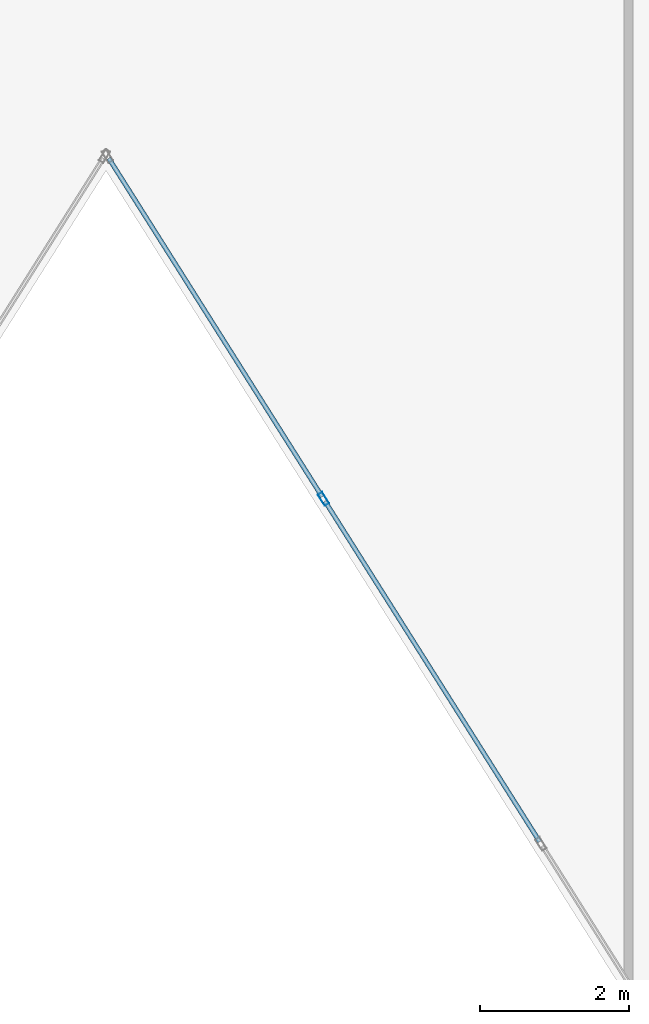
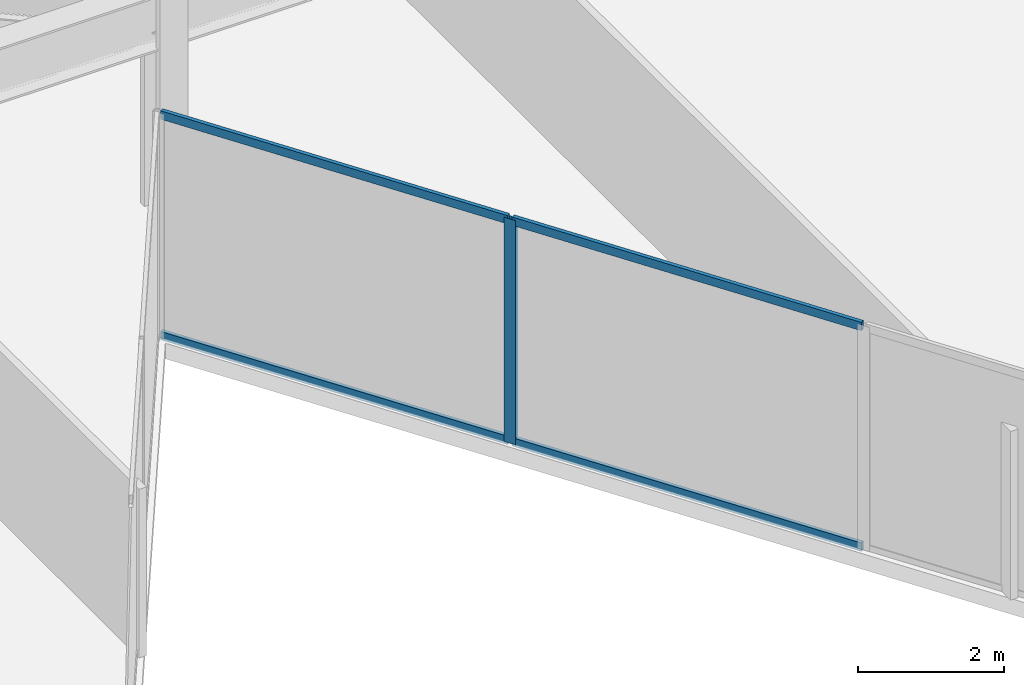
# One storey, part 15 of 25: 5 members, 1 element without a shape of its own.
"""IFC4 building model written with IfcOpenShell, lengths in metres."""

from ifc_helpers import new_model, si_unit, direction, frame, origin, origin_2d, place, context, subcontext, project, spatial, hollow_rectangle, extrude, material, layer, layer_set, material_profile, profile_set, type_object, element, aggregate, save


model = new_model("IFC4")

# Units and contexts
model_context = context("Model", 3, precision=1e-05, world=origin(), true_north=direction((0.0, 1.0)))
body_context = subcontext(model_context, "Body", "Model", "MODEL_VIEW")
ifc_project = project(units=[si_unit("LENGTHUNIT", "METRE"), si_unit("AREAUNIT", "SQUARE_METRE"), si_unit("VOLUMEUNIT", "CUBIC_METRE"), si_unit("PLANEANGLEUNIT", "RADIAN"), si_unit("MASSUNIT", "GRAM", prefix="KILO")], contexts=[model_context])

# Site, building, storey
site_placement = place(None, origin())
site = spatial("IfcSite", under=ifc_project, at=site_placement, CompositionType="ELEMENT")
building_placement = place(site_placement, origin())
building = spatial("IfcBuilding", under=site, at=building_placement, Name="Kravanh Interchange Tower", CompositionType="ELEMENT")
storey_placement = place(building_placement, frame((0.0, 0.0, 41.5)))
storey = spatial("IfcBuildingStorey", under=building, at=storey_placement, Name="L09", CompositionType="ELEMENT", Elevation=41.5)

# Curtain wall, members
ifc_material_1 = material(Name="Anodised Bronze Aluminium", Category="aluminium")
ifc_layer = layer(ifc_material_1, 0.179931640625)
ifc_layer_set = layer_set([ifc_layer], Name="Unitised Curtain Wall System CW-Z1 Lower Office")
curtain_wall_type = type_object("IfcCurtainWallType", Name="Unitised Curtain Wall System CW-Z1 Lower Office", PredefinedType="NOTDEFINED", material=ifc_layer_set)
curtain_wall_placement = place(storey_placement, origin())
curtain_wall = element("IfcCurtainWall", 1, at=curtain_wall_placement, inside=storey, type_object=curtain_wall_type, Name="L09 Unitised Curtain Wall CW-L09-04", PredefinedType="NOTDEFINED")
ifc_material_2 = material(Name="Anodised Bronze Aluminium", Category="aluminium")
ifc_material_profile_1 = material_profile(ifc_material_2, hollow_rectangle(XDim=0.070068359375, YDim=0.179931640625, WallThickness=0.00390625, at=origin_2d()), Name="ALU70X180X4")
ifc_profile_set_1 = profile_set([ifc_material_profile_1], Name="Anodised Bronze Aluminium")
member_type_1 = type_object("IfcMemberType", Name="Curtain Wall Mullion ALU70X180X4 Bronze", PredefinedType="MULLION", material=ifc_profile_set_1)
member_1_placement = place(storey_placement, frame((39.913330078125, 19.60400390625, 0.0), z_axis=(0.0, 0.0, 1.0), x_axis=(-0.845925530786, -0.53330103728, 0.0)))
member_1 = element("IfcMember", 2, at=member_1_placement, type_object=member_type_1, Name="CW-Z1 mullion 5", PredefinedType="MULLION", context=body_context, shape_type="SweptSolid", body=[
    extrude(hollow_rectangle(XDim=0.070068359375, YDim=0.179931640625, WallThickness=0.00390625, at=origin_2d()), origin(), (0.0, 0.0, 1.0), 3.739990234375),
])
ifc_material_3 = material(Name="Anodised Bronze Aluminium", Category="aluminium")
ifc_material_profile_2 = material_profile(ifc_material_3, hollow_rectangle(XDim=0.06005859375, YDim=0.139892578125, WallThickness=0.00390625, at=origin_2d()), Name="ALU60X140X4")
ifc_profile_set_2 = profile_set([ifc_material_profile_2], Name="Anodised Bronze Aluminium")
member_type_2 = type_object("IfcMemberType", Name="Curtain Wall Transom ALU60X140X4 Bronze", PredefinedType="USERDEFINED", material=ifc_profile_set_2)
member_2_placement = place(storey_placement, frame((42.807861328125, 15.0126953125, 0.030029296875), z_axis=(-0.533311487456, 0.84591894254, 0.0), x_axis=(-0.84591894254, -0.533311487456, 0.0)))
member_2 = element("IfcMember", 3, at=member_2_placement, type_object=member_type_2, Name="CW-Z1 transom 4.1", ObjectType="TRANSOM", PredefinedType="USERDEFINED", context=body_context, shape_type="SweptSolid", body=[
    extrude(hollow_rectangle(XDim=0.06005859375, YDim=0.139892578125, WallThickness=0.00390625, at=origin_2d()), origin(), (0.0, 0.0, 1.0), 5.392578125),
])
member_3_placement = place(storey_placement, frame((42.807861328125, 15.0126953125, 3.7099609375), z_axis=(-0.533311487456, 0.84591894254, 0.0), x_axis=(-0.84591894254, -0.533311487456, 0.0)))
member_3 = element("IfcMember", 4, at=member_3_placement, type_object=member_type_2, Name="CW-Z1 transom 4.2", ObjectType="TRANSOM", PredefinedType="USERDEFINED", context=body_context, shape_type="SweptSolid", body=[
    extrude(hollow_rectangle(XDim=0.06005859375, YDim=0.139892578125, WallThickness=0.00390625, at=origin_2d()), origin(), (0.0, 0.0, 1.0), 5.392578125),
])
member_4_placement = place(storey_placement, frame((39.89453125, 19.633544921875, 0.030029296875), z_axis=(-0.533288163518, 0.845933646719, 0.0), x_axis=(-0.845933646719, -0.533288163518, 0.0)))
member_4 = element("IfcMember", 5, at=member_4_placement, type_object=member_type_2, Name="CW-Z1 transom 5.1", ObjectType="TRANSOM", PredefinedType="USERDEFINED", context=body_context, shape_type="SweptSolid", body=[
    extrude(hollow_rectangle(XDim=0.06005859375, YDim=0.139892578125, WallThickness=0.00390625, at=origin_2d()), origin(), (0.0, 0.0, 1.0), 5.357666015625),
])
member_5_placement = place(storey_placement, frame((39.89453125, 19.633544921875, 3.7099609375), z_axis=(-0.533288163518, 0.845933646719, 0.0), x_axis=(-0.845933646719, -0.533288163518, 0.0)))
member_5 = element("IfcMember", 6, at=member_5_placement, type_object=member_type_2, Name="CW-Z1 transom 5.2", ObjectType="TRANSOM", PredefinedType="USERDEFINED", context=body_context, shape_type="SweptSolid", body=[
    extrude(hollow_rectangle(XDim=0.06005859375, YDim=0.139892578125, WallThickness=0.00390625, at=origin_2d()), origin(), (0.0, 0.0, 1.0), 5.357666015625),
])
aggregate(curtain_wall, [member_1, member_2, member_3, member_4, member_5])

save(model, "model.ifc")
